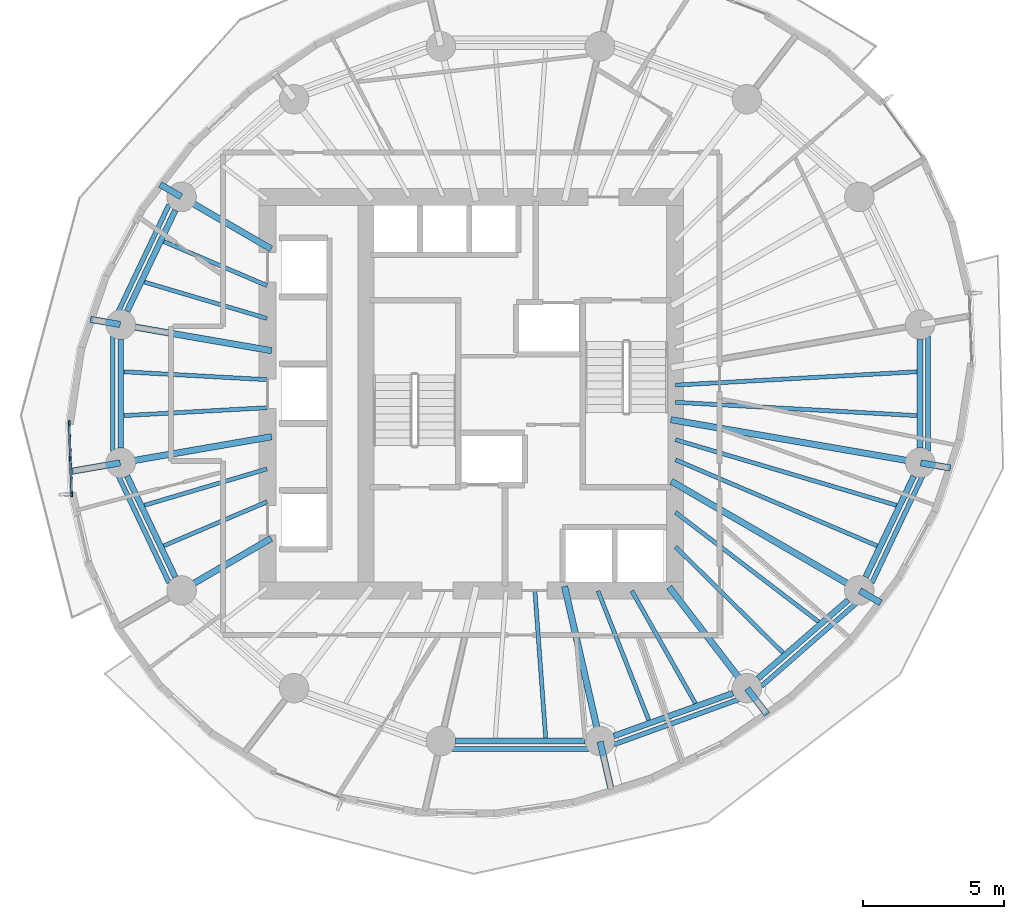
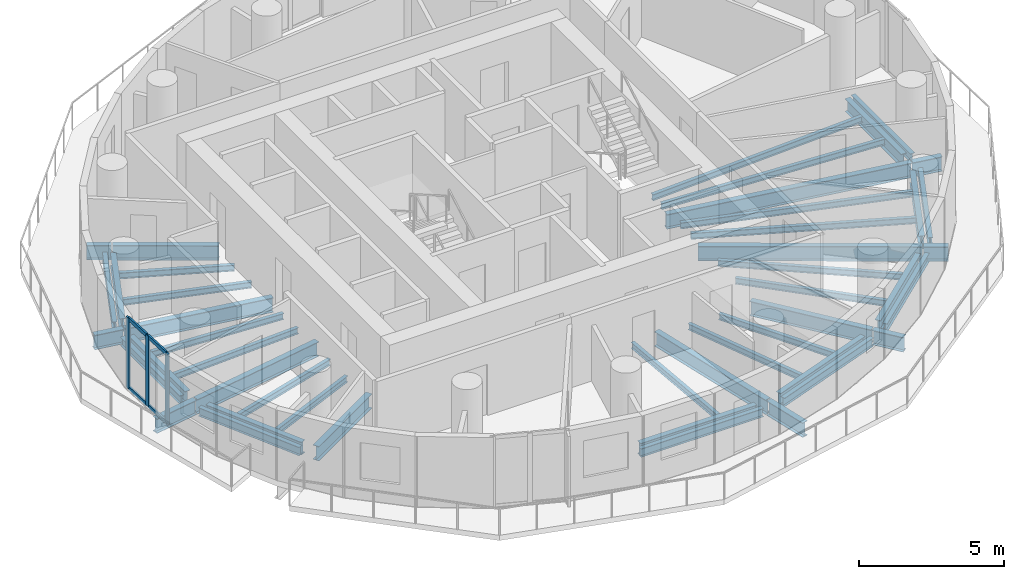
# One storey, part 2 of 14: 46 beams, 7 members, 1 element without a shape of its own.
"""IFC4 building model written with IfcOpenShell, lengths in metres."""

from ifc_helpers import new_model, si_unit, direction, frame, origin, origin_2d, place, context, subcontext, project, spatial, rectangle, i_section, extrude, material, material_profile, profile_set, type_object, element, aggregate, save


model = new_model("IFC4")

# Units and contexts
model_context = context("Model", 3, precision=1e-05, world=origin(), true_north=direction((0.0, 1.0)))
body_context = subcontext(model_context, "Body", "Model", "MODEL_VIEW")
ifc_project = project(units=[si_unit("LENGTHUNIT", "METRE"), si_unit("AREAUNIT", "SQUARE_METRE"), si_unit("VOLUMEUNIT", "CUBIC_METRE"), si_unit("PLANEANGLEUNIT", "RADIAN"), si_unit("MASSUNIT", "GRAM", prefix="KILO")], contexts=[model_context])

# Site, building, storey
site_placement = place(None, origin())
site = spatial("IfcSite", under=ifc_project, at=site_placement, CompositionType="ELEMENT")
building_placement = place(site_placement, origin())
building = spatial("IfcBuilding", under=site, at=building_placement, Name="Veldorim Arch Residences", CompositionType="ELEMENT")
storey_placement = place(building_placement, frame((0.0, 0.0, 126.56005859375)))
storey = spatial("IfcBuildingStorey", under=building, at=storey_placement, Name="L37", CompositionType="ELEMENT", Elevation=126.56005859375)

# Beams
ifc_material_1 = material(Name="Steel S355", Category="steel")
ifc_material_profile_1 = material_profile(ifc_material_1, i_section(OverallWidth=0.2099609375, OverallDepth=0.53662109375, WebThickness=0.0107421875, FlangeThickness=0.017333984375, at=origin_2d()), Name="UB533x210x101")
ifc_profile_set_1 = profile_set([ifc_material_profile_1], Name="Steel S355")
beam_type_1 = type_object("IfcBeamType", Name="Structural Steel Beam UB533x210x101", PredefinedType="BEAM", material=ifc_profile_set_1)
beam_1_placement = place(storey_placement, frame((19.7177734375, 30.5263671875, -0.508544921875), z_axis=(-0.43028577851, -0.902692721147, 0.0), x_axis=(0.902692721147, -0.43028577851, 0.0)))
element("IfcBeam", 1, at=beam_1_placement, inside=storey, type_object=beam_type_1, Name="L37 perimeter ring tie beam 07", PredefinedType="BEAM", context=body_context, shape_type="SweptSolid", body=[
    extrude(i_section(OverallWidth=0.2099609375, OverallDepth=0.53662109375, WebThickness=0.0107421875, FlangeThickness=0.017333984375, at=origin_2d()), origin(), (0.0, 0.0, 1.0), 3.98193359375),
])
beam_2_placement = place(storey_placement, frame((17.778564453125, 25.93310546875, -0.508544921875), z_axis=(0.0, -1.0, 0.0), x_axis=(1.0, 0.0, 0.0)))
element("IfcBeam", 2, at=beam_2_placement, inside=storey, type_object=beam_type_1, Name="L37 perimeter ring tie beam 08", PredefinedType="BEAM", context=body_context, shape_type="SweptSolid", body=[
    extrude(i_section(OverallWidth=0.2099609375, OverallDepth=0.53662109375, WebThickness=0.0107421875, FlangeThickness=0.017333984375, at=origin_2d()), origin(), (0.0, 0.0, 1.0), 3.8662109375),
])
beam_3_placement = place(storey_placement, frame((18.00439453125, 21.068115234375, -0.508544921875), z_axis=(0.43028577851, -0.902692721147, 0.0), x_axis=(0.902692721147, 0.43028577851, 0.0)))
element("IfcBeam", 3, at=beam_3_placement, inside=storey, type_object=beam_type_1, Name="L37 perimeter ring tie beam 09", PredefinedType="BEAM", context=body_context, shape_type="SweptSolid", body=[
    extrude(i_section(OverallWidth=0.2099609375, OverallDepth=0.53662109375, WebThickness=0.0107421875, FlangeThickness=0.017333984375, at=origin_2d()), origin(), (0.0, 0.0, 1.0), 3.98193359375),
])
beam_4_placement = place(storey_placement, frame((29.6962890625, 11.64208984375, -0.508544921875), z_axis=(1.0, 0.0, 0.0), x_axis=(0.0, 1.0, 0.0)))
element("IfcBeam", 4, at=beam_4_placement, inside=storey, type_object=beam_type_1, Name="L37 perimeter ring tie beam 12", PredefinedType="BEAM", context=body_context, shape_type="SweptSolid", body=[
    extrude(i_section(OverallWidth=0.2099609375, OverallDepth=0.53662109375, WebThickness=0.0107421875, FlangeThickness=0.017333984375, at=origin_2d()), origin(), (0.0, 0.0, 1.0), 4.607421875),
])
beam_5_placement = place(storey_placement, frame((35.32275390625, 11.81982421875, -0.508544921875), z_axis=(0.940899155006, 0.338686846673, 0.0), x_axis=(-0.338686846673, 0.940899155006, 0.0)))
element("IfcBeam", 5, at=beam_5_placement, inside=storey, type_object=beam_type_1, Name="L37 perimeter ring tie beam 13", PredefinedType="BEAM", context=body_context, shape_type="SweptSolid", body=[
    extrude(i_section(OverallWidth=0.2099609375, OverallDepth=0.53662109375, WebThickness=0.0107421875, FlangeThickness=0.017333984375, at=origin_2d()), origin(), (0.0, 0.0, 1.0), 4.50537109375),
])
beam_6_placement = place(storey_placement, frame((40.4521484375, 13.867919921875, -0.508544921875), z_axis=(0.754810789581, 0.655942582802, 0.0), x_axis=(-0.655942582802, 0.754810789581, 0.0)))
element("IfcBeam", 6, at=beam_6_placement, inside=storey, type_object=beam_type_1, Name="L37 perimeter ring tie beam 14", PredefinedType="BEAM", context=body_context, shape_type="SweptSolid", body=[
    extrude(i_section(OverallWidth=0.2099609375, OverallDepth=0.53662109375, WebThickness=0.0107421875, FlangeThickness=0.017333984375, at=origin_2d()), origin(), (0.0, 0.0, 1.0), 4.249755859375),
])
beam_7_placement = place(storey_placement, frame((44.2822265625, 17.4736328125, -0.508544921875), z_axis=(0.43028577851, 0.902692721147, 0.0), x_axis=(-0.902692721147, 0.43028577851, 0.0)))
element("IfcBeam", 7, at=beam_7_placement, inside=storey, type_object=beam_type_1, Name="L37 perimeter ring tie beam 15", PredefinedType="BEAM", context=body_context, shape_type="SweptSolid", body=[
    extrude(i_section(OverallWidth=0.2099609375, OverallDepth=0.53662109375, WebThickness=0.0107421875, FlangeThickness=0.017333984375, at=origin_2d()), origin(), (0.0, 0.0, 1.0), 3.98193359375),
])
beam_8_placement = place(storey_placement, frame((46.221435546875, 22.06689453125, -0.508544921875), z_axis=(0.0, 1.0, 0.0), x_axis=(-1.0, 0.0, 0.0)))
element("IfcBeam", 8, at=beam_8_placement, inside=storey, type_object=beam_type_1, Name="L37 perimeter ring tie beam 16", PredefinedType="BEAM", context=body_context, shape_type="SweptSolid", body=[
    extrude(i_section(OverallWidth=0.2099609375, OverallDepth=0.53662109375, WebThickness=0.0107421875, FlangeThickness=0.017333984375, at=origin_2d()), origin(), (0.0, 0.0, 1.0), 3.8662109375),
])
ifc_material_2 = material(Name="Steel S355", Category="steel")
ifc_material_profile_2 = material_profile(ifc_material_2, i_section(OverallWidth=0.22900390625, OverallDepth=0.6123046875, WebThickness=0.011962890625, FlangeThickness=0.01953125, at=origin_2d()), Name="UB610x229x125")
ifc_profile_set_2 = profile_set([ifc_material_profile_2], Name="Steel S355")
beam_type_2 = type_object("IfcBeamType", Name="Structural Steel Beam UB610x229x125", PredefinedType="BEAM", material=ifc_profile_set_2)
beam_9_placement = place(storey_placement, frame((23.129638671875, 29.150390625, -0.546142578125), z_axis=(-0.864794546612, 0.502125872815, 0.0), x_axis=(-0.502125872815, -0.864794546612, 0.0)))
element("IfcBeam", 9, at=beam_9_placement, inside=storey, type_object=beam_type_2, Name="L37 radial floor girder 07", PredefinedType="BEAM", context=body_context, shape_type="SweptSolid", body=[
    extrude(i_section(OverallWidth=0.22900390625, OverallDepth=0.6123046875, WebThickness=0.011962890625, FlangeThickness=0.01953125, at=origin_2d()), origin(), (0.0, 0.0, 1.0), 3.6640625),
])
beam_10_placement = place(storey_placement, frame((19.926513671875, 31.01025390625, -0.546142578125), z_axis=(-0.864900403911, 0.501943514067, 0.0), x_axis=(-0.501943514067, -0.864900403911, 0.0)))
element("IfcBeam", 10, at=beam_10_placement, inside=storey, type_object=beam_type_2, Name="L37 radial edge cantilever girder 07", PredefinedType="BEAM", context=body_context, shape_type="SweptSolid", body=[
    extrude(i_section(OverallWidth=0.22900390625, OverallDepth=0.6123046875, WebThickness=0.011962890625, FlangeThickness=0.01953125, at=origin_2d()), origin(), (0.0, 0.0, 1.0), 0.85888671875),
])
beam_11_placement = place(storey_placement, frame((23.147705078125, 25.530029296875, -0.546142578125), z_axis=(-0.985390445301, 0.170310511449, 0.0), x_axis=(-0.170310511449, -0.985390445301, 0.0)))
element("IfcBeam", 11, at=beam_11_placement, inside=storey, type_object=beam_type_2, Name="L37 radial floor girder 08", PredefinedType="BEAM", context=body_context, shape_type="SweptSolid", body=[
    extrude(i_section(OverallWidth=0.22900390625, OverallDepth=0.6123046875, WebThickness=0.011962890625, FlangeThickness=0.01953125, at=origin_2d()), origin(), (0.0, 0.0, 1.0), 5.4287109375),
])
beam_12_placement = place(storey_placement, frame((17.7587890625, 26.46142578125, -0.546142578125), z_axis=(-0.985387910853, 0.170325174727, 0.0), x_axis=(-0.170325174727, -0.985387910853, 0.0)))
element("IfcBeam", 12, at=beam_12_placement, inside=storey, type_object=beam_type_2, Name="L37 radial edge cantilever girder 08", PredefinedType="BEAM", context=body_context, shape_type="SweptSolid", body=[
    extrude(i_section(OverallWidth=0.22900390625, OverallDepth=0.6123046875, WebThickness=0.011962890625, FlangeThickness=0.01953125, at=origin_2d()), origin(), (0.0, 0.0, 1.0), 1.074951171875),
])
beam_13_placement = place(storey_placement, frame((23.147705078125, 22.469970703125, -0.546142578125), z_axis=(-0.985390445301, -0.170310511449, 0.0), x_axis=(0.170310511449, -0.985390445301, 0.0)))
element("IfcBeam", 13, at=beam_13_placement, inside=storey, type_object=beam_type_2, Name="L37 radial floor girder 09", PredefinedType="BEAM", context=body_context, shape_type="SweptSolid", body=[
    extrude(i_section(OverallWidth=0.22900390625, OverallDepth=0.6123046875, WebThickness=0.011962890625, FlangeThickness=0.01953125, at=origin_2d()), origin(), (0.0, 0.0, 1.0), 5.4287109375),
])
beam_14_placement = place(storey_placement, frame((17.7587890625, 21.53857421875, -0.546142578125), z_axis=(-0.985382949726, -0.170353874007, 0.0), x_axis=(0.170353874007, -0.985382949726, 0.0)))
element("IfcBeam", 14, at=beam_14_placement, inside=storey, type_object=beam_type_2, Name="L37 radial edge cantilever girder 09", PredefinedType="BEAM", context=body_context, shape_type="SweptSolid", body=[
    extrude(i_section(OverallWidth=0.22900390625, OverallDepth=0.6123046875, WebThickness=0.011962890625, FlangeThickness=0.01953125, at=origin_2d()), origin(), (0.0, 0.0, 1.0), 1.774169921875),
])
beam_15_placement = place(storey_placement, frame((23.129638671875, 18.849609375, -0.546142578125), z_axis=(-0.864794546612, -0.502125872815, 0.0), x_axis=(0.502125872815, -0.864794546612, 0.0)))
element("IfcBeam", 15, at=beam_15_placement, inside=storey, type_object=beam_type_2, Name="L37 radial floor girder 10", PredefinedType="BEAM", context=body_context, shape_type="SweptSolid", body=[
    extrude(i_section(OverallWidth=0.22900390625, OverallDepth=0.6123046875, WebThickness=0.011962890625, FlangeThickness=0.01953125, at=origin_2d()), origin(), (0.0, 0.0, 1.0), 3.6640625),
])
beam_16_placement = place(storey_placement, frame((33.56884765625, 17.146240234375, -0.546142578125), z_axis=(0.223119342184, -0.974791136164, 0.0), x_axis=(0.974791136164, 0.223119342184, 0.0)))
element("IfcBeam", 16, at=beam_16_placement, inside=storey, type_object=beam_type_2, Name="L37 radial floor girder 13", PredefinedType="BEAM", context=body_context, shape_type="SweptSolid", body=[
    extrude(i_section(OverallWidth=0.22900390625, OverallDepth=0.6123046875, WebThickness=0.011962890625, FlangeThickness=0.01953125, at=origin_2d()), origin(), (0.0, 0.0, 1.0), 5.62646484375),
])
beam_17_placement = place(storey_placement, frame((34.833251953125, 11.62255859375, -0.546142578125), z_axis=(0.223180402263, -0.974777158147, 0.0), x_axis=(0.974777158147, 0.223180402263, 0.0)))
element("IfcBeam", 17, at=beam_17_placement, inside=storey, type_object=beam_type_2, Name="L37 radial edge cantilever girder 13", PredefinedType="BEAM", context=body_context, shape_type="SweptSolid", body=[
    extrude(i_section(OverallWidth=0.22900390625, OverallDepth=0.6123046875, WebThickness=0.011962890625, FlangeThickness=0.01953125, at=origin_2d()), origin(), (0.0, 0.0, 1.0), 1.826904296875),
])
beam_18_placement = place(storey_placement, frame((37.291259765625, 17.118896484375, -0.546142578125), z_axis=(0.609559199361, -0.792740551804, 0.0), x_axis=(0.792740551804, 0.609559199361, 0.0)))
element("IfcBeam", 18, at=beam_18_placement, inside=storey, type_object=beam_type_2, Name="L37 radial floor girder 14", PredefinedType="BEAM", context=body_context, shape_type="SweptSolid", body=[
    extrude(i_section(OverallWidth=0.22900390625, OverallDepth=0.6123046875, WebThickness=0.011962890625, FlangeThickness=0.01953125, at=origin_2d()), origin(), (0.0, 0.0, 1.0), 4.515380859375),
])
beam_19_placement = place(storey_placement, frame((40.068115234375, 13.507568359375, -0.546142578125), z_axis=(0.609538125584, -0.792756755543, 0.0), x_axis=(0.792756755543, 0.609538125584, 0.0)))
element("IfcBeam", 19, at=beam_19_placement, inside=storey, type_object=beam_type_2, Name="L37 radial edge cantilever girder 14", PredefinedType="BEAM", context=body_context, shape_type="SweptSolid", body=[
    extrude(i_section(OverallWidth=0.22900390625, OverallDepth=0.6123046875, WebThickness=0.011962890625, FlangeThickness=0.01953125, at=origin_2d()), origin(), (0.0, 0.0, 1.0), 1.161865234375),
])
beam_20_placement = place(storey_placement, frame((37.370361328125, 20.8818359375, -0.546142578125), z_axis=(0.864793381443, -0.502127879542, 0.0), x_axis=(0.502127879542, 0.864793381443, 0.0)))
element("IfcBeam", 20, at=beam_20_placement, inside=storey, type_object=beam_type_2, Name="L37 radial floor girder 15", PredefinedType="BEAM", context=body_context, shape_type="SweptSolid", body=[
    extrude(i_section(OverallWidth=0.22900390625, OverallDepth=0.6123046875, WebThickness=0.011962890625, FlangeThickness=0.01953125, at=origin_2d()), origin(), (0.0, 0.0, 1.0), 7.71142578125),
])
beam_21_placement = place(storey_placement, frame((44.073486328125, 16.98974609375, -0.546142578125), z_axis=(0.864900403911, -0.501943514067, 0.0), x_axis=(0.501943514067, 0.864900403911, 0.0)))
element("IfcBeam", 21, at=beam_21_placement, inside=storey, type_object=beam_type_2, Name="L37 radial edge cantilever girder 15", PredefinedType="BEAM", context=body_context, shape_type="SweptSolid", body=[
    extrude(i_section(OverallWidth=0.22900390625, OverallDepth=0.6123046875, WebThickness=0.011962890625, FlangeThickness=0.01953125, at=origin_2d()), origin(), (0.0, 0.0, 1.0), 0.85888671875),
])
beam_22_placement = place(storey_placement, frame((37.352294921875, 23.074951171875, -0.546142578125), z_axis=(0.985389398766, -0.170316566427, 0.0), x_axis=(0.170316566427, 0.985389398766, 0.0)))
element("IfcBeam", 22, at=beam_22_placement, inside=storey, type_object=beam_type_2, Name="L37 radial floor girder 16", PredefinedType="BEAM", context=body_context, shape_type="SweptSolid", body=[
    extrude(i_section(OverallWidth=0.22900390625, OverallDepth=0.6123046875, WebThickness=0.011962890625, FlangeThickness=0.01953125, at=origin_2d()), origin(), (0.0, 0.0, 1.0), 8.98046875),
])
beam_23_placement = place(storey_placement, frame((46.2412109375, 21.53857421875, -0.546142578125), z_axis=(0.985387910853, -0.170325174727, 0.0), x_axis=(0.170325174727, 0.985387910853, 0.0)))
element("IfcBeam", 23, at=beam_23_placement, inside=storey, type_object=beam_type_2, Name="L37 radial edge cantilever girder 16", PredefinedType="BEAM", context=body_context, shape_type="SweptSolid", body=[
    extrude(i_section(OverallWidth=0.22900390625, OverallDepth=0.6123046875, WebThickness=0.011962890625, FlangeThickness=0.01953125, at=origin_2d()), origin(), (0.0, 0.0, 1.0), 1.074951171875),
])
ifc_material_3 = material(Name="Steel S355", Category="steel")
ifc_material_profile_3 = material_profile(ifc_material_3, i_section(OverallWidth=0.146484375, OverallDepth=0.256103515625, WebThickness=0.00634765625, FlangeThickness=0.010986328125, at=origin_2d()), Name="UB254x146x37")
ifc_profile_set_3 = profile_set([ifc_material_profile_3], Name="Steel S355")
beam_type_3 = type_object("IfcBeamType", Name="Structural Steel Joist UB254x146x37", PredefinedType="JOIST", material=ifc_profile_set_3)
beam_24_placement = place(storey_placement, frame((22.981689453125, 27.84619140625, -0.3681640625), z_axis=(-0.919823469329, 0.392332493265, 0.0), x_axis=(-0.392332493265, -0.919823469329, 0.0)))
element("IfcBeam", 24, at=beam_24_placement, inside=storey, type_object=beam_type_3, Name="L37 secondary radial floor joist 07-1", PredefinedType="JOIST", context=body_context, shape_type="SweptSolid", body=[
    extrude(i_section(OverallWidth=0.146484375, OverallDepth=0.256103515625, WebThickness=0.00634765625, FlangeThickness=0.010986328125, at=origin_2d()), origin(), (0.0, 0.0, 1.0), 3.993896484375),
])
beam_25_placement = place(storey_placement, frame((22.980712890625, 26.677001953125, -0.3681640625), z_axis=(-0.95868163277, 0.284481154014, 0.0), x_axis=(-0.284481154014, -0.95868163277, 0.0)))
element("IfcBeam", 25, at=beam_25_placement, inside=storey, type_object=beam_type_3, Name="L37 secondary radial floor joist 07-2", PredefinedType="JOIST", context=body_context, shape_type="SweptSolid", body=[
    extrude(i_section(OverallWidth=0.146484375, OverallDepth=0.256103515625, WebThickness=0.00634765625, FlangeThickness=0.010986328125, at=origin_2d()), origin(), (0.0, 0.0, 1.0), 4.54931640625),
])
for number, where, z_axis, x_axis, name in (
    (26, (22.97998046875, 24.498779296875, -0.3681640625), (-0.998472994317, 0.055242009562, 0.0), (-0.055242009562, -0.998472994317, 0.0), "L37 secondary radial floor joist 08-1"),
    (27, (22.97998046875, 23.501220703125, -0.3681640625), (-0.998472994317, -0.055242009562, 0.0), (0.055242009562, -0.998472994317, 0.0), "L37 secondary radial floor joist 08-2"),
):
    element("IfcBeam", number, at=place(storey_placement, frame(where, z_axis=z_axis, x_axis=x_axis)), inside=storey, type_object=beam_type_3, Name=name, PredefinedType="JOIST", context=body_context, shape_type="SweptSolid", body=[
        extrude(i_section(OverallWidth=0.146484375, OverallDepth=0.256103515625, WebThickness=0.00634765625, FlangeThickness=0.010986328125, at=origin_2d()), origin(), (0.0, 0.0, 1.0), 5.10009765625),
    ])
beam_26_placement = place(storey_placement, frame((22.980712890625, 21.322998046875, -0.3681640625), z_axis=(-0.95868163277, -0.284481154014, 0.0), x_axis=(0.284481154014, -0.95868163277, 0.0)))
element("IfcBeam", 28, at=beam_26_placement, inside=storey, type_object=beam_type_3, Name="L37 secondary radial floor joist 09-1", PredefinedType="JOIST", context=body_context, shape_type="SweptSolid", body=[
    extrude(i_section(OverallWidth=0.146484375, OverallDepth=0.256103515625, WebThickness=0.00634765625, FlangeThickness=0.010986328125, at=origin_2d()), origin(), (0.0, 0.0, 1.0), 4.54931640625),
])
beam_27_placement = place(storey_placement, frame((22.981689453125, 20.15380859375, -0.3681640625), z_axis=(-0.919823469329, -0.392332493265, 0.0), x_axis=(0.392332493265, -0.919823469329, 0.0)))
element("IfcBeam", 29, at=beam_27_placement, inside=storey, type_object=beam_type_3, Name="L37 secondary radial floor joist 09-2", PredefinedType="JOIST", context=body_context, shape_type="SweptSolid", body=[
    extrude(i_section(OverallWidth=0.146484375, OverallDepth=0.256103515625, WebThickness=0.00634765625, FlangeThickness=0.010986328125, at=origin_2d()), origin(), (0.0, 0.0, 1.0), 3.993896484375),
])
beam_28_placement = place(storey_placement, frame((32.51416015625, 16.97998046875, -0.3681640625), z_axis=(0.073060364166, -0.997327520521, 0.0), x_axis=(0.997327520521, 0.073060364166, 0.0)))
element("IfcBeam", 30, at=beam_28_placement, inside=storey, type_object=beam_type_3, Name="L37 secondary radial floor joist 12-2", PredefinedType="JOIST", context=body_context, shape_type="SweptSolid", body=[
    extrude(i_section(OverallWidth=0.146484375, OverallDepth=0.256103515625, WebThickness=0.00634765625, FlangeThickness=0.010986328125, at=origin_2d()), origin(), (0.0, 0.0, 1.0), 5.242919921875),
])
beam_29_placement = place(storey_placement, frame((34.7587890625, 16.9814453125, -0.3681640625), z_axis=(0.365777738491, -0.930702232739, 0.0), x_axis=(0.930702232739, 0.365777738491, 0.0)))
element("IfcBeam", 31, at=beam_29_placement, inside=storey, type_object=beam_type_3, Name="L37 secondary radial floor joist 13-1", PredefinedType="JOIST", context=body_context, shape_type="SweptSolid", body=[
    extrude(i_section(OverallWidth=0.146484375, OverallDepth=0.256103515625, WebThickness=0.00634765625, FlangeThickness=0.010986328125, at=origin_2d()), origin(), (0.0, 0.0, 1.0), 4.9404296875),
])
beam_30_placement = place(storey_placement, frame((35.96337890625, 16.982666015625, -0.3681640625), z_axis=(0.491815801586, -0.870699269157, 0.0), x_axis=(0.870699269157, 0.491815801586, 0.0)))
element("IfcBeam", 32, at=beam_30_placement, inside=storey, type_object=beam_type_3, Name="L37 secondary radial floor joist 13-2", PredefinedType="JOIST", context=body_context, shape_type="SweptSolid", body=[
    extrude(i_section(OverallWidth=0.146484375, OverallDepth=0.256103515625, WebThickness=0.00634765625, FlangeThickness=0.010986328125, at=origin_2d()), origin(), (0.0, 0.0, 1.0), 4.59814453125),
])
beam_31_placement = place(storey_placement, frame((37.51416015625, 18.556884765625, -0.3681640625), z_axis=(0.711703457158, -0.702480027523, 0.0), x_axis=(0.702480027523, 0.711703457158, 0.0)))
element("IfcBeam", 33, at=beam_31_placement, inside=storey, type_object=beam_type_3, Name="L37 secondary radial floor joist 14-1", PredefinedType="JOIST", context=body_context, shape_type="SweptSolid", body=[
    extrude(i_section(OverallWidth=0.146484375, OverallDepth=0.256103515625, WebThickness=0.00634765625, FlangeThickness=0.010986328125, at=origin_2d()), origin(), (0.0, 0.0, 1.0), 5.373291015625),
])
beam_32_placement = place(storey_placement, frame((37.515869140625, 19.780517578125, -0.3681640625), z_axis=(0.794267053144, -0.607568801281, 0.0), x_axis=(0.607568801281, 0.794267053144, 0.0)))
element("IfcBeam", 34, at=beam_32_placement, inside=storey, type_object=beam_type_3, Name="L37 secondary radial floor joist 14-2", PredefinedType="JOIST", context=body_context, shape_type="SweptSolid", body=[
    extrude(i_section(OverallWidth=0.146484375, OverallDepth=0.256103515625, WebThickness=0.00634765625, FlangeThickness=0.010986328125, at=origin_2d()), origin(), (0.0, 0.0, 1.0), 6.412841796875),
])
beam_33_placement = place(storey_placement, frame((37.518310546875, 21.646484375, -0.3681640625), z_axis=(0.919831795434, -0.39231297214, 0.0), x_axis=(0.39231297214, 0.919831795434, 0.0)))
element("IfcBeam", 35, at=beam_33_placement, inside=storey, type_object=beam_type_3, Name="L37 secondary radial floor joist 15-1", PredefinedType="JOIST", context=body_context, shape_type="SweptSolid", body=[
    extrude(i_section(OverallWidth=0.146484375, OverallDepth=0.256103515625, WebThickness=0.00634765625, FlangeThickness=0.010986328125, at=origin_2d()), origin(), (0.0, 0.0, 1.0), 7.798828125),
])
beam_34_placement = place(storey_placement, frame((37.519287109375, 22.36181640625, -0.3681640625), z_axis=(0.958674276305, -0.284505943614, 0.0), x_axis=(0.284505943614, 0.958674276305, 0.0)))
element("IfcBeam", 36, at=beam_34_placement, inside=storey, type_object=beam_type_3, Name="L37 secondary radial floor joist 15-2", PredefinedType="JOIST", context=body_context, shape_type="SweptSolid", body=[
    extrude(i_section(OverallWidth=0.146484375, OverallDepth=0.256103515625, WebThickness=0.00634765625, FlangeThickness=0.010986328125, at=origin_2d()), origin(), (0.0, 0.0, 1.0), 8.2001953125),
])
for number, where, z_axis, x_axis, name in (
    (37, (37.52001953125, 23.694580078125, -0.3681640625), (0.998474809964, -0.055209182821, 0.0), (0.055209182821, 0.998474809964, 0.0), "L37 secondary radial floor joist 16-1"),
    (38, (37.52001953125, 24.305419921875, -0.3681640625), (0.998474809964, 0.055209182821, 0.0), (-0.055209182821, 0.998474809964, 0.0), "L37 secondary radial floor joist 16-2"),
):
    element("IfcBeam", number, at=place(storey_placement, frame(where, z_axis=z_axis, x_axis=x_axis)), inside=storey, type_object=beam_type_3, Name=name, PredefinedType="JOIST", context=body_context, shape_type="SweptSolid", body=[
        extrude(i_section(OverallWidth=0.146484375, OverallDepth=0.256103515625, WebThickness=0.00634765625, FlangeThickness=0.010986328125, at=origin_2d()), origin(), (0.0, 0.0, 1.0), 8.60546875),
    ])
ifc_material_4 = material(Name="Steel S355", Category="steel")
ifc_material_profile_4 = material_profile(ifc_material_4, i_section(OverallWidth=0.172119140625, OverallDepth=0.35791015625, WebThickness=0.008056640625, FlangeThickness=0.012939453125, at=origin_2d()), Name="UB356x171x57")
ifc_profile_set_4 = profile_set([ifc_material_profile_4], Name="Steel S355")
beam_type_4 = type_object("IfcBeamType", Name="Structural Steel Spandrel UB356x171x57", PredefinedType="SPANDREL", material=ifc_profile_set_4)
beam_35_placement = place(storey_placement, frame((19.49609375, 30.727783203125, -0.43896484375), z_axis=(-0.428579957662, -0.903503857153, 0.0), x_axis=(0.903503857153, -0.428579957662, 0.0)))
element("IfcBeam", 39, at=beam_35_placement, inside=storey, type_object=beam_type_4, Name="L37 perimeter chord spandrel beam 07", PredefinedType="SPANDREL", context=body_context, shape_type="SweptSolid", body=[
    extrude(i_section(OverallWidth=0.172119140625, OverallDepth=0.35791015625, WebThickness=0.008056640625, FlangeThickness=0.012939453125, at=origin_2d()), origin(), (0.0, 0.0, 1.0), 4.209228515625),
])
beam_36_placement = place(storey_placement, frame((17.494140625, 26.04541015625, -0.43896484375), z_axis=(0.0, -1.0, 0.0), x_axis=(1.0, 0.0, 0.0)))
element("IfcBeam", 40, at=beam_36_placement, inside=storey, type_object=beam_type_4, Name="L37 perimeter chord spandrel beam 08", PredefinedType="SPANDREL", context=body_context, shape_type="SweptSolid", body=[
    extrude(i_section(OverallWidth=0.172119140625, OverallDepth=0.35791015625, WebThickness=0.008056640625, FlangeThickness=0.012939453125, at=origin_2d()), origin(), (0.0, 0.0, 1.0), 4.0908203125),
])
beam_37_placement = place(storey_placement, frame((17.692138671875, 21.0751953125, -0.43896484375), z_axis=(0.428579957662, -0.903503857153, 0.0), x_axis=(0.903503857153, 0.428579957662, 0.0)))
element("IfcBeam", 41, at=beam_37_placement, inside=storey, type_object=beam_type_4, Name="L37 perimeter chord spandrel beam 09", PredefinedType="SPANDREL", context=body_context, shape_type="SweptSolid", body=[
    extrude(i_section(OverallWidth=0.172119140625, OverallDepth=0.35791015625, WebThickness=0.008056640625, FlangeThickness=0.012939453125, at=origin_2d()), origin(), (0.0, 0.0, 1.0), 4.209228515625),
])
beam_38_placement = place(storey_placement, frame((29.56884765625, 11.360595703125, -0.43896484375), z_axis=(1.0, 0.0, 0.0), x_axis=(0.0, 1.0, 0.0)))
element("IfcBeam", 42, at=beam_38_placement, inside=storey, type_object=beam_type_4, Name="L37 perimeter chord spandrel beam 12", PredefinedType="SPANDREL", context=body_context, shape_type="SweptSolid", body=[
    extrude(i_section(OverallWidth=0.172119140625, OverallDepth=0.35791015625, WebThickness=0.008056640625, FlangeThickness=0.012939453125, at=origin_2d()), origin(), (0.0, 0.0, 1.0), 4.8623046875),
])
beam_39_placement = place(storey_placement, frame((35.32763671875, 11.51806640625, -0.43896484375), z_axis=(0.940212553113, 0.340588248429, 0.0), x_axis=(-0.340588248429, 0.940212553113, 0.0)))
element("IfcBeam", 43, at=beam_39_placement, inside=storey, type_object=beam_type_4, Name="L37 perimeter chord spandrel beam 13", PredefinedType="SPANDREL", context=body_context, shape_type="SweptSolid", body=[
    extrude(i_section(OverallWidth=0.172119140625, OverallDepth=0.35791015625, WebThickness=0.008056640625, FlangeThickness=0.012939453125, at=origin_2d()), origin(), (0.0, 0.0, 1.0), 4.75390625),
])
beam_40_placement = place(storey_placement, frame((40.57958984375, 13.5986328125, -0.43896484375), z_axis=(0.753014748982, 0.658003638148, 0.0), x_axis=(-0.658003638148, 0.753014748982, 0.0)))
element("IfcBeam", 44, at=beam_40_placement, inside=storey, type_object=beam_type_4, Name="L37 perimeter chord spandrel beam 14", PredefinedType="SPANDREL", context=body_context, shape_type="SweptSolid", body=[
    extrude(i_section(OverallWidth=0.172119140625, OverallDepth=0.35791015625, WebThickness=0.008056640625, FlangeThickness=0.012939453125, at=origin_2d()), origin(), (0.0, 0.0, 1.0), 4.486572265625),
])
beam_41_placement = place(storey_placement, frame((44.50390625, 17.272216796875, -0.43896484375), z_axis=(0.428579957662, 0.903503857153, 0.0), x_axis=(-0.903503857153, 0.428579957662, 0.0)))
element("IfcBeam", 45, at=beam_41_placement, inside=storey, type_object=beam_type_4, Name="L37 perimeter chord spandrel beam 15", PredefinedType="SPANDREL", context=body_context, shape_type="SweptSolid", body=[
    extrude(i_section(OverallWidth=0.172119140625, OverallDepth=0.35791015625, WebThickness=0.008056640625, FlangeThickness=0.012939453125, at=origin_2d()), origin(), (0.0, 0.0, 1.0), 4.209228515625),
])
beam_42_placement = place(storey_placement, frame((46.505859375, 21.95458984375, -0.43896484375), z_axis=(0.0, 1.0, 0.0), x_axis=(-1.0, 0.0, 0.0)))
element("IfcBeam", 46, at=beam_42_placement, inside=storey, type_object=beam_type_4, Name="L37 perimeter chord spandrel beam 16", PredefinedType="SPANDREL", context=body_context, shape_type="SweptSolid", body=[
    extrude(i_section(OverallWidth=0.172119140625, OverallDepth=0.35791015625, WebThickness=0.008056640625, FlangeThickness=0.012939453125, at=origin_2d()), origin(), (0.0, 0.0, 1.0), 4.0908203125),
])

# Curtain wall, members
ifc_material_5 = material(Name="Aluminium", Category="aluminium")
curtain_wall_type = type_object("IfcCurtainWallType", Name="Zone 3 High-Wind Unitised Curtain Wall", PredefinedType="NOTDEFINED", material=ifc_material_5)
curtain_wall_placement = place(storey_placement, origin())
curtain_wall = element("IfcCurtainWall", 47, at=curtain_wall_placement, inside=storey, type_object=curtain_wall_type, Name="L37 unitised curtain wall bay 16", PredefinedType="NOTDEFINED")
ifc_material_6 = material(Name="Aluminium", Category="aluminium")
ifc_material_profile_5 = material_profile(ifc_material_6, rectangle(XDim=0.070068359375, YDim=0.179931640625, at=origin_2d()), Name="ALU_MUL_70x180")
ifc_profile_set_5 = profile_set([ifc_material_profile_5], Name="Aluminium")
member_type_1 = type_object("IfcMemberType", Name="Zone 3 High-Wind Unitised Curtain Wall Mullion 70x180", PredefinedType="MULLION", material=ifc_profile_set_5)
member_1_placement = place(storey_placement, frame((16.0302734375, 20.42529296875, 0.0), z_axis=(0.0, 0.0, 1.0), x_axis=(-0.999369736243, -0.035498313784, 0.0)))
member_1 = element("IfcMember", 48, at=member_1_placement, type_object=member_type_1, Name="CW-Z3 mullion 1", PredefinedType="MULLION", context=body_context, shape_type="SweptSolid", body=[
    extrude(rectangle(XDim=0.070068359375, YDim=0.179931640625, at=origin_2d()), origin(), (0.0, 0.0, 1.0), 2.9599609375),
])
member_2_placement = place(storey_placement, frame((15.985107421875, 21.69091796875, 0.0), z_axis=(0.0, 0.0, 1.0), x_axis=(-0.999369736243, -0.035498313784, 0.0)))
member_2 = element("IfcMember", 49, at=member_2_placement, type_object=member_type_1, Name="CW-Z3 mullion 2", PredefinedType="MULLION", context=body_context, shape_type="SweptSolid", body=[
    extrude(rectangle(XDim=0.070068359375, YDim=0.179931640625, at=origin_2d()), origin(), (0.0, 0.0, 1.0), 2.9599609375),
])
member_3_placement = place(storey_placement, frame((15.940185546875, 22.95654296875, 0.0), z_axis=(0.0, 0.0, 1.0), x_axis=(-0.999369736243, -0.035498313784, 0.0)))
member_3 = element("IfcMember", 50, at=member_3_placement, type_object=member_type_1, Name="CW-Z3 mullion 3", PredefinedType="MULLION", context=body_context, shape_type="SweptSolid", body=[
    extrude(rectangle(XDim=0.070068359375, YDim=0.179931640625, at=origin_2d()), origin(), (0.0, 0.0, 1.0), 2.9599609375),
])
ifc_material_7 = material(Name="Aluminium", Category="aluminium")
ifc_material_profile_6 = material_profile(ifc_material_7, rectangle(XDim=0.070068359375, YDim=0.155029296875, at=origin_2d()), Name="ALU_TRN_70x155")
ifc_profile_set_6 = profile_set([ifc_material_profile_6], Name="Aluminium")
member_type_2 = type_object("IfcMemberType", Name="Zone 3 High-Wind Unitised Curtain Wall Transom 70x155", PredefinedType="USERDEFINED", material=ifc_profile_set_6)
member_4_placement = place(storey_placement, frame((16.02880859375, 20.460205078125, 0.034912109375), z_axis=(-0.035502308986, 0.999369594323, 0.0), x_axis=(-0.999369594323, -0.035502308986, 0.0)))
member_4 = element("IfcMember", 51, at=member_4_placement, type_object=member_type_2, Name="CW-Z3 transom 1.1", ObjectType="TRANSOM", PredefinedType="USERDEFINED", context=body_context, shape_type="SweptSolid", body=[
    extrude(rectangle(XDim=0.070068359375, YDim=0.155029296875, at=origin_2d()), origin(), (0.0, 0.0, 1.0), 1.196533203125),
])
member_5_placement = place(storey_placement, frame((16.02880859375, 20.460205078125, 2.925048828125), z_axis=(-0.035502308986, 0.999369594323, 0.0), x_axis=(-0.999369594323, -0.035502308986, 0.0)))
member_5 = element("IfcMember", 52, at=member_5_placement, type_object=member_type_2, Name="CW-Z3 transom 1.2", ObjectType="TRANSOM", PredefinedType="USERDEFINED", context=body_context, shape_type="SweptSolid", body=[
    extrude(rectangle(XDim=0.070068359375, YDim=0.155029296875, at=origin_2d()), origin(), (0.0, 0.0, 1.0), 1.196533203125),
])
member_6_placement = place(storey_placement, frame((15.98388671875, 21.725830078125, 0.034912109375), z_axis=(-0.035502308986, 0.999369594323, 0.0), x_axis=(-0.999369594323, -0.035502308986, 0.0)))
member_6 = element("IfcMember", 53, at=member_6_placement, type_object=member_type_2, Name="CW-Z3 transom 2.1", ObjectType="TRANSOM", PredefinedType="USERDEFINED", context=body_context, shape_type="SweptSolid", body=[
    extrude(rectangle(XDim=0.070068359375, YDim=0.155029296875, at=origin_2d()), origin(), (0.0, 0.0, 1.0), 1.196533203125),
])
member_7_placement = place(storey_placement, frame((15.98388671875, 21.725830078125, 2.925048828125), z_axis=(-0.035502308986, 0.999369594323, 0.0), x_axis=(-0.999369594323, -0.035502308986, 0.0)))
member_7 = element("IfcMember", 54, at=member_7_placement, type_object=member_type_2, Name="CW-Z3 transom 2.2", ObjectType="TRANSOM", PredefinedType="USERDEFINED", context=body_context, shape_type="SweptSolid", body=[
    extrude(rectangle(XDim=0.070068359375, YDim=0.155029296875, at=origin_2d()), origin(), (0.0, 0.0, 1.0), 1.196533203125),
])
aggregate(curtain_wall, [member_1, member_2, member_3, member_4, member_5, member_6, member_7])

save(model, "model.ifc")
